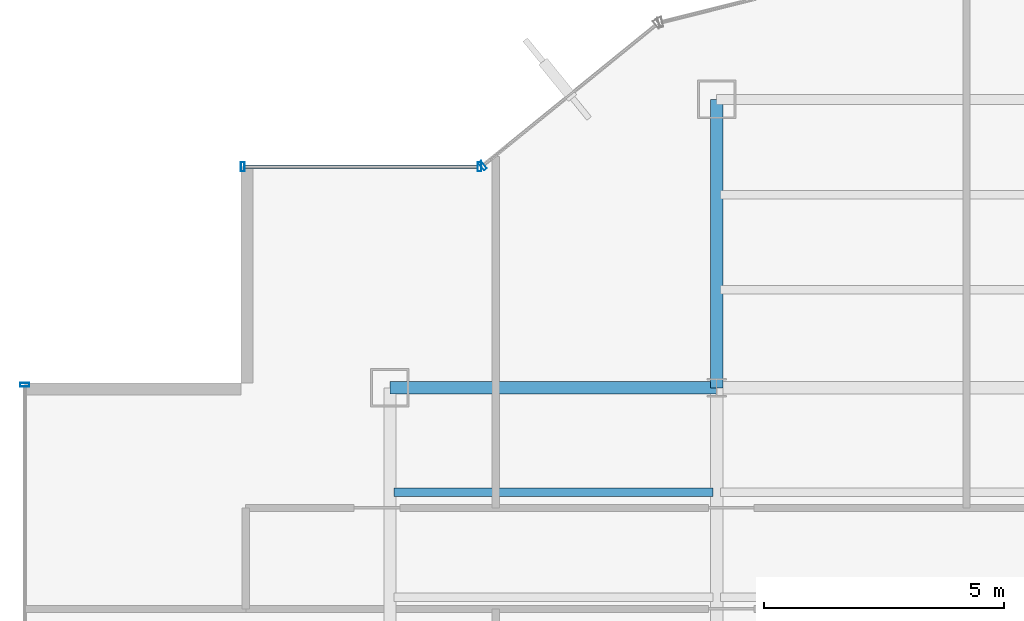
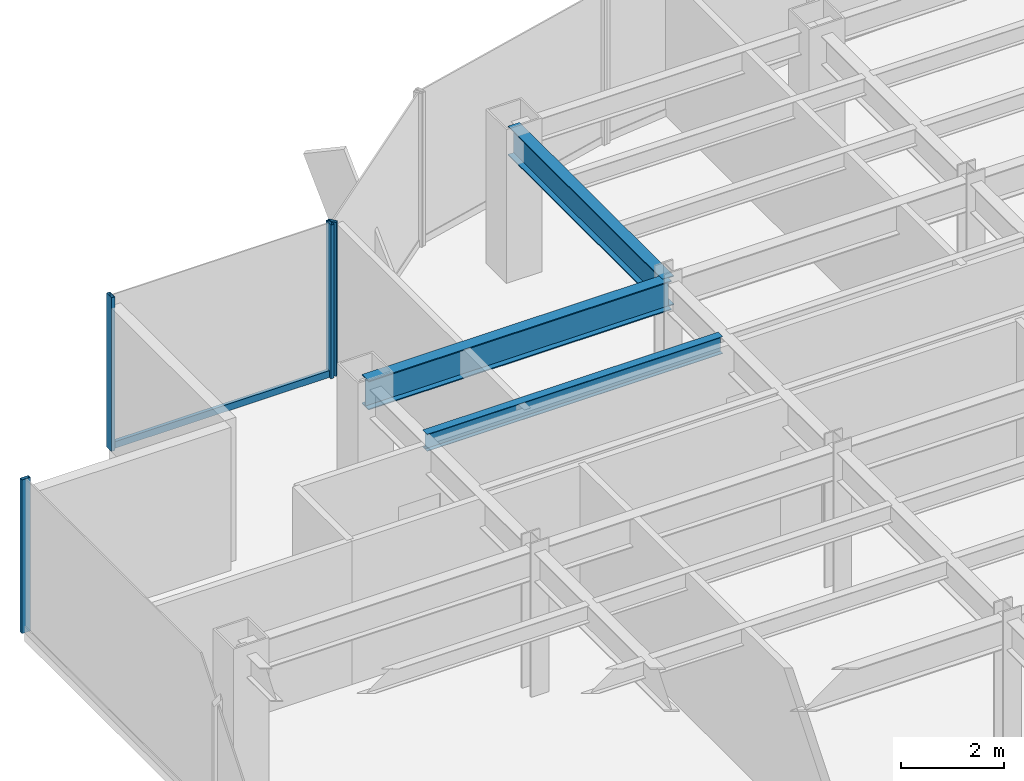
# One storey, part 13 of 26: 5 members, 3 beams, 3 elements without a shape of their own.
"""IFC4 building model written with IfcOpenShell, lengths in metres."""

from ifc_helpers import new_model, si_unit, derived_unit, direction, frame, origin, origin_2d, place, context, subcontext, project, spatial, hollow_rectangle, i_section, extrude, source, transform, mapped, material, material_profile, profile_set, type_object, element, aggregate, save


model = new_model("IFC4")

# Units and contexts
model_context = context("Model", 3, precision=1e-05, world=origin(), true_north=direction((0.0, 1.0)))
body_context = subcontext(model_context, "Body", "Model", "MODEL_VIEW")
ifc_project = project(units=[si_unit("LENGTHUNIT", "METRE"), si_unit("AREAUNIT", "SQUARE_METRE"), si_unit("VOLUMEUNIT", "CUBIC_METRE"), si_unit("PLANEANGLEUNIT", "RADIAN"), si_unit("MASSUNIT", "GRAM", prefix="KILO"), derived_unit("THERMALTRANSMITTANCEUNIT", [(si_unit("POWERUNIT", "WATT"), 1), (si_unit("LENGTHUNIT", "METRE"), -2), (si_unit("THERMODYNAMICTEMPERATUREUNIT", "KELVIN"), -1)])], contexts=[model_context])

# Site, building, storey
site_placement = place(None, origin())
site = spatial("IfcSite", under=ifc_project, at=site_placement, CompositionType="ELEMENT")
building_placement = place(site_placement, origin())
building = spatial("IfcBuilding", under=site, at=building_placement, Name="Skarnbrae Concourse Arena and Tower", CompositionType="ELEMENT")
storey_placement = place(building_placement, frame((0.0, 0.0, 103.25)))
storey = spatial("IfcBuildingStorey", under=building, at=storey_placement, Name="L25", CompositionType="ELEMENT", Elevation=103.25)

# Beams
ifc_material_1 = material(Name="Steel CSA G40.21 350W", Category="steel")
ifc_material_profile_1 = material_profile(ifc_material_1, i_section(OverallWidth=0.256103515625, OverallDepth=0.693115234375, WebThickness=0.014404296875, FlangeThickness=0.023681640625, at=origin_2d()), Name="W690X170")
ifc_profile_set_1 = profile_set([ifc_material_profile_1], Name="Steel CSA G40.21 350W")
beam_type_1 = type_object("IfcBeamType", Name="BM-GIRD-W690X170", PredefinedType="BEAM", material=ifc_profile_set_1)
shared_shape_1 = source(origin(), body_context, "Body", "SweptSolid", [
    extrude(i_section(OverallWidth=0.256103515625, OverallDepth=0.693115234375, WebThickness=0.014404296875, FlangeThickness=0.023681640625, at=origin_2d()), origin(), (0.0, 0.0, 1.0), 6.7998046875),
])
beam_1_placement = place(storey_placement, frame((7.60009765625, 34.39990234375, 3.053466796875), z_axis=(1.0, 0.0, 0.0), x_axis=(0.0, 1.0, 0.0)))
element("IfcBeam", 1, at=beam_1_placement, inside=storey, type_object=beam_type_1, Name="L25 Primary E-W girder Y34.4-1", PredefinedType="BEAM", context=body_context, shape_type="MappedRepresentation", body=[
    mapped(shared_shape_1, transform((0.0, 0.0, 0.0))),
])
shared_shape_2 = source(origin(), body_context, "Body", "SweptSolid", [
    extrude(i_section(OverallWidth=0.256103515625, OverallDepth=0.693115234375, WebThickness=0.014404296875, FlangeThickness=0.023681640625, at=origin_2d()), origin(), (0.0, 0.0, 1.0), 6.0),
])
beam_2_placement = place(storey_placement, frame((14.39990234375, 34.39990234375, 3.053466796875), z_axis=(0.0, 1.0, 0.0), x_axis=(-1.0, 0.0, 0.0)))
element("IfcBeam", 2, at=beam_2_placement, inside=storey, type_object=beam_type_1, Name="L25 Primary N-S girder X14.4-4", PredefinedType="BEAM", context=body_context, shape_type="MappedRepresentation", body=[
    mapped(shared_shape_2, transform((0.0, 0.0, 0.0))),
])
ifc_material_profile_2 = material_profile(ifc_material_1, i_section(OverallWidth=0.177978515625, OverallDepth=0.406982421875, WebThickness=0.0078125, FlangeThickness=0.0126953125, at=origin_2d()), Name="W410X60")
ifc_profile_set_2 = profile_set([ifc_material_profile_2], Name="Steel CSA G40.21 350W")
beam_type_2 = type_object("IfcBeamType", Name="BM-JOIST-W410X60", PredefinedType="JOIST", material=ifc_profile_set_2)
shared_shape_3 = source(origin(), body_context, "Body", "SweptSolid", [
    extrude(i_section(OverallWidth=0.177978515625, OverallDepth=0.406982421875, WebThickness=0.0078125, FlangeThickness=0.0126953125, at=origin_2d()), origin(), (0.0, 0.0, 1.0), 6.64013671875),
])
beam_3_placement = place(storey_placement, frame((7.679931640625, 32.221923828125, 3.196533203125), z_axis=(1.0, 0.0, 0.0), x_axis=(0.0, 1.0, 0.0)))
element("IfcBeam", 3, at=beam_3_placement, inside=storey, type_object=beam_type_2, Name="L25 Secondary floor joist 3.2.1", PredefinedType="JOIST", context=body_context, shape_type="MappedRepresentation", body=[
    mapped(shared_shape_3, transform((0.0, 0.0, 0.0))),
])

# Curtain wall, member
ifc_material_2 = material(Name="Bronze anodised aluminium 6063-T6", Category="aluminium")
curtain_wall_type = type_object("IfcCurtainWallType", Name="CW-SYS-04-MIDZONE", PredefinedType="USERDEFINED", material=ifc_material_2)
curtain_wall_1_placement = place(storey_placement, origin())
curtain_wall_1 = element("IfcCurtainWall", 4, at=curtain_wall_1_placement, inside=storey, type_object=curtain_wall_type, Name="L25 Unitised curtain wall CW-L25-E16", ObjectType="UNITISED CURTAIN WALL", PredefinedType="USERDEFINED")
ifc_material_profile_3 = material_profile(ifc_material_2, hollow_rectangle(XDim=0.074951171875, YDim=0.159912109375, WallThickness=0.00439453125, at=origin_2d()), Name="ALU-TRAN-75X160")
ifc_profile_set_3 = profile_set([ifc_material_profile_3], Name="Bronze anodised aluminium 6063-T6")
member_type_1 = type_object("IfcMemberType", Name="CWT-CW-04", PredefinedType="USERDEFINED", material=ifc_profile_set_3)
shared_shape_4 = source(origin(), body_context, "Body", "SweptSolid", [
    extrude(hollow_rectangle(XDim=0.074951171875, YDim=0.159912109375, WallThickness=0.00439453125, at=origin_2d()), origin(), (0.0, 0.0, 1.0), 4.85009765625),
])
member_1_placement = place(storey_placement, frame((9.425048828125, 39.0, 0.080078125), z_axis=(-1.0, 0.0, 0.0), x_axis=(0.0, -1.0, 0.0)))
member_1 = element("IfcMember", 5, at=member_1_placement, type_object=member_type_1, Name="CW-L25-E16 Transom 1", ObjectType="TRANSOM", PredefinedType="USERDEFINED", context=body_context, shape_type="MappedRepresentation", body=[
    mapped(shared_shape_4, transform((0.0, 0.0, 0.0))),
])

curtain_wall_2_placement = place(storey_placement, origin())
curtain_wall_2 = element("IfcCurtainWall", 6, at=curtain_wall_2_placement, inside=storey, type_object=curtain_wall_type, Name="L25 Unitised curtain wall CW-L25-E15", ObjectType="UNITISED CURTAIN WALL", PredefinedType="USERDEFINED")
ifc_material_profile_4 = material_profile(ifc_material_2, hollow_rectangle(XDim=0.074951171875, YDim=0.195068359375, WallThickness=0.00439453125, at=origin_2d()), Name="ALU-MULL-75X195")
ifc_profile_set_4 = profile_set([ifc_material_profile_4], Name="Bronze anodised aluminium 6063-T6")
member_type_2 = type_object("IfcMemberType", Name="CWM-CW-04", PredefinedType="MULLION", material=ifc_profile_set_4)
shared_shape_5 = source(origin(), body_context, "Body", "SweptSolid", [
    extrude(hollow_rectangle(XDim=0.074951171875, YDim=0.195068359375, WallThickness=0.00439453125, at=origin_2d()), origin(), (0.0, 0.0, 1.0), 3.64990234375),
])
member_2_placement = place(storey_placement, frame((9.529052734375, 39.023681640625, 0.0), z_axis=(0.0, 0.0, 1.0), x_axis=(-0.776241200471, -0.630436038542, 0.0)))
member_2 = element("IfcMember", 7, at=member_2_placement, type_object=member_type_2, Name="CW-L25-E15 Mullion 2", PredefinedType="MULLION", context=body_context, shape_type="MappedRepresentation", body=[
    mapped(shared_shape_5, transform((0.0, 0.0, 0.0))),
])
aggregate(curtain_wall_2, [member_2])

# Member
member_3_placement = place(storey_placement, frame((9.46240234375, 39.0, 0.0), z_axis=(0.0, 0.0, 1.0), x_axis=(-1.0, 0.0, 0.0)))
member_3 = element("IfcMember", 8, at=member_3_placement, type_object=member_type_2, Name="CW-L25-E16 Mullion 1", PredefinedType="MULLION", context=body_context, shape_type="MappedRepresentation", body=[
    mapped(shared_shape_5, transform((0.0, 0.0, 0.0))),
])

member_4_placement = place(storey_placement, frame((4.53759765625, 39.0, 0.0), z_axis=(0.0, 0.0, 1.0), x_axis=(-1.0, 0.0, 0.0)))
member_4 = element("IfcMember", 9, at=member_4_placement, type_object=member_type_2, Name="CW-L25-E16 Mullion 2", PredefinedType="MULLION", context=body_context, shape_type="MappedRepresentation", body=[
    mapped(shared_shape_5, transform((0.0, 0.0, 0.0))),
])

aggregate(curtain_wall_1, [member_3, member_4, member_1])

# Curtain wall, member
curtain_wall_3_placement = place(storey_placement, origin())
curtain_wall_3 = element("IfcCurtainWall", 10, at=curtain_wall_3_placement, inside=storey, type_object=curtain_wall_type, Name="L25 Unitised curtain wall CW-L25-E19", ObjectType="UNITISED CURTAIN WALL", PredefinedType="USERDEFINED")
member_5_placement = place(storey_placement, frame((0.0, 34.46240234375, 0.0), z_axis=(0.0, 0.0, 1.0), x_axis=(0.0, -1.0, 0.0)))
member_5 = element("IfcMember", 11, at=member_5_placement, type_object=member_type_2, Name="CW-L25-E19 Mullion 1", PredefinedType="MULLION", context=body_context, shape_type="MappedRepresentation", body=[
    mapped(shared_shape_5, transform((0.0, 0.0, 0.0))),
])
aggregate(curtain_wall_3, [member_5])

save(model, "model.ifc")
